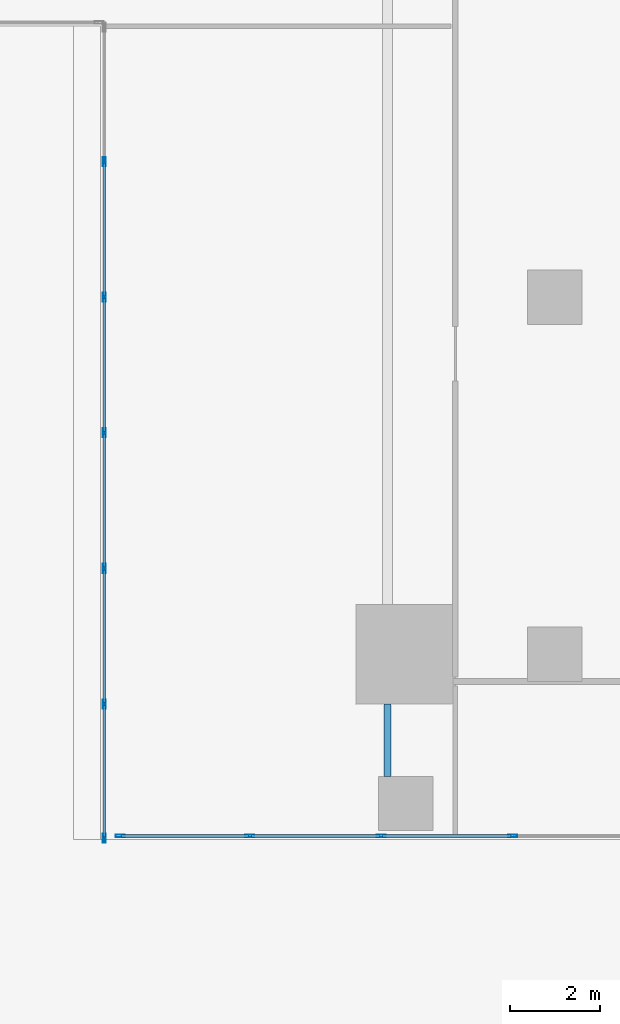
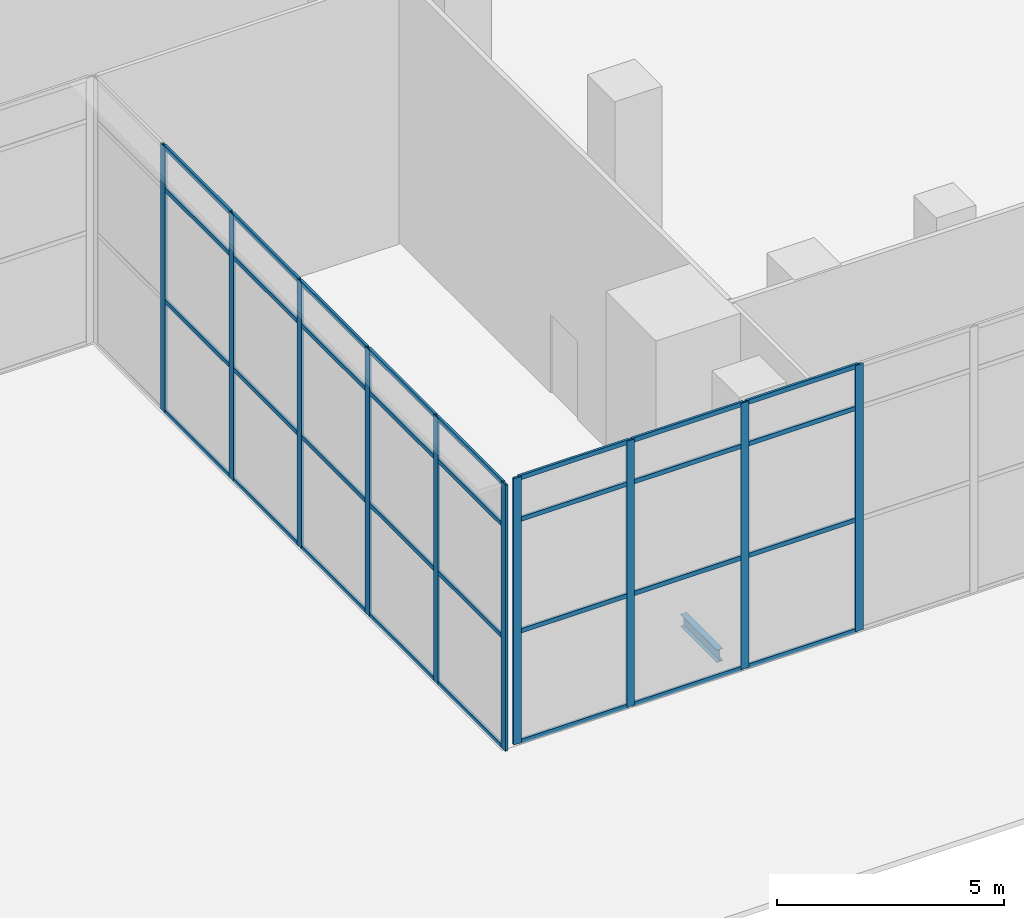
# One storey, part 19 of 52: 42 members, 1 beam, 2 elements without a shape of their own.
"""IFC4 building model written with IfcOpenShell, lengths in metres."""

from ifc_helpers import new_model, si_unit, direction, frame, origin, origin_2d, place, context, subcontext, project, spatial, hollow_rectangle, i_section, extrude, source, transform, mapped, material, material_profile, profile_set, type_object, element, aggregate, save


model = new_model("IFC4")

# Units and contexts
model_context = context("Model", 3, precision=1e-05, world=origin(), true_north=direction((0.0, 1.0)))
body_context = subcontext(model_context, "Body", "Model", "MODEL_VIEW")
ifc_project = project(units=[si_unit("LENGTHUNIT", "METRE"), si_unit("AREAUNIT", "SQUARE_METRE"), si_unit("VOLUMEUNIT", "CUBIC_METRE"), si_unit("PLANEANGLEUNIT", "RADIAN"), si_unit("MASSUNIT", "GRAM", prefix="KILO")], contexts=[model_context])

# Site, building, storey
site_placement = place(None, origin())
site = spatial("IfcSite", under=ifc_project, at=site_placement, CompositionType="ELEMENT")
building_placement = place(site_placement, origin())
building = spatial("IfcBuilding", under=site, at=building_placement, Name="Khomas Fold Tower", CompositionType="ELEMENT")
storey_placement = place(building_placement, origin())
storey = spatial("IfcBuildingStorey", under=building, at=storey_placement, Name="L00", CompositionType="ELEMENT", Elevation=0.0)

# Beam
ifc_material_1 = material(Name="Steel S355", Category="steel")
ifc_material_profile_1 = material_profile(ifc_material_1, i_section(OverallWidth=0.159912109375, OverallDepth=0.330078125, WebThickness=0.007568359375, FlangeThickness=0.011474609375, at=origin_2d()), Name="IPE 330")
ifc_profile_set_1 = profile_set([ifc_material_profile_1], Name="Steel S355")
beam_type = type_object("IfcBeamType", Name="IPE 330 beam JB1", PredefinedType="BEAM", material=ifc_profile_set_1)
shared_shape_1 = source(origin(), body_context, "Body", "SweptSolid", [
    extrude(i_section(OverallWidth=0.159912109375, OverallDepth=0.330078125, WebThickness=0.007568359375, FlangeThickness=0.011474609375, at=origin_2d()), origin(), (0.0, 0.0, 1.0), 1.60009765625),
])
beam_placement = place(storey_placement, frame((49.5, 1.39990234375, -0.514892578125), z_axis=(0.0, 1.0, 0.0), x_axis=(-1.0, 0.0, 0.0)))
element("IfcBeam", 1, at=beam_placement, inside=storey, type_object=beam_type, Name="JB1", PredefinedType="BEAM", context=body_context, shape_type="MappedRepresentation", body=[
    mapped(shared_shape_1, transform((0.0, 0.0, 0.0))),
])

# Curtain wall, members
ifc_material_2 = material(Name="Aluminium framed double glazing", Category="aluminium")
curtain_wall_type = type_object("IfcCurtainWallType", Name="Shopfront glazing PD-CW", PredefinedType="NOTDEFINED", material=ifc_material_2)
curtain_wall_1_placement = place(storey_placement, origin())
curtain_wall_1 = element("IfcCurtainWall", 2, at=curtain_wall_1_placement, inside=storey, type_object=curtain_wall_type, Name="Podium shopfront run", PredefinedType="NOTDEFINED")
ifc_material_3 = material(Name="Aluminium", Category="aluminium")
ifc_material_profile_2 = material_profile(ifc_material_3, hollow_rectangle(XDim=0.06005859375, YDim=0.199951171875, WallThickness=0.00390625, at=origin_2d()), Name="Shopfront glazing mullion PD-CW-M")
ifc_profile_set_2 = profile_set([ifc_material_profile_2], Name="Aluminium")
member_type_1 = type_object("IfcMemberType", Name="Shopfront glazing mullion PD-CW-M", PredefinedType="MULLION", material=ifc_profile_set_2)
shared_shape_2 = source(origin(), body_context, "Body", "SweptSolid", [
    extrude(hollow_rectangle(XDim=0.06005859375, YDim=0.199951171875, WallThickness=0.00390625, at=origin_2d()), origin(), (0.0, 0.0, 1.0), 7.14990234375),
])
member_1_placement = place(storey_placement, frame((43.22998046875, 15.0, 0.0), z_axis=(0.0, 0.0, 1.0), x_axis=(1.0, 0.0, 0.0)))
member_1 = element("IfcMember", 3, at=member_1_placement, type_object=member_type_1, Name="PD-CW mullion 2", PredefinedType="MULLION", context=body_context, shape_type="MappedRepresentation", body=[
    mapped(shared_shape_2, transform((0.0, 0.0, 0.0))),
])
member_2_placement = place(storey_placement, frame((43.22998046875, 12.0, 0.0), z_axis=(0.0, 0.0, 1.0), x_axis=(1.0, 0.0, 0.0)))
member_2 = element("IfcMember", 4, at=member_2_placement, type_object=member_type_1, Name="PD-CW mullion 3", PredefinedType="MULLION", context=body_context, shape_type="MappedRepresentation", body=[
    mapped(shared_shape_2, transform((0.0, 0.0, 0.0))),
])
member_3_placement = place(storey_placement, frame((43.22998046875, 9.0, 0.0), z_axis=(0.0, 0.0, 1.0), x_axis=(1.0, 0.0, 0.0)))
member_3 = element("IfcMember", 5, at=member_3_placement, type_object=member_type_1, Name="PD-CW mullion 4", PredefinedType="MULLION", context=body_context, shape_type="MappedRepresentation", body=[
    mapped(shared_shape_2, transform((0.0, 0.0, 0.0))),
])
member_4_placement = place(storey_placement, frame((43.22998046875, 6.0, 0.0), z_axis=(0.0, 0.0, 1.0), x_axis=(1.0, 0.0, 0.0)))
member_4 = element("IfcMember", 6, at=member_4_placement, type_object=member_type_1, Name="PD-CW mullion 5", PredefinedType="MULLION", context=body_context, shape_type="MappedRepresentation", body=[
    mapped(shared_shape_2, transform((0.0, 0.0, 0.0))),
])
member_5_placement = place(storey_placement, frame((43.22998046875, 3.0, 0.0), z_axis=(0.0, 0.0, 1.0), x_axis=(1.0, 0.0, 0.0)))
member_5 = element("IfcMember", 7, at=member_5_placement, type_object=member_type_1, Name="PD-CW mullion 6", PredefinedType="MULLION", context=body_context, shape_type="MappedRepresentation", body=[
    mapped(shared_shape_2, transform((0.0, 0.0, 0.0))),
])
member_6_placement = place(storey_placement, frame((43.22998046875, 0.030029296875, 0.0), z_axis=(0.0, 0.0, 1.0), x_axis=(1.0, 0.0, 0.0)))
member_6 = element("IfcMember", 8, at=member_6_placement, type_object=member_type_1, Name="PD-CW mullion 7", PredefinedType="MULLION", context=body_context, shape_type="MappedRepresentation", body=[
    mapped(shared_shape_2, transform((0.0, 0.0, 0.0))),
])

curtain_wall_2_placement = place(storey_placement, origin())
curtain_wall_2 = element("IfcCurtainWall", 9, at=curtain_wall_2_placement, inside=storey, type_object=curtain_wall_type, Name="Podium shopfront run", PredefinedType="NOTDEFINED")
member_7_placement = place(storey_placement, frame((43.580078125, 0.080078125, 0.0), z_axis=(0.0, 0.0, 1.0), x_axis=(0.0, 1.0, 0.0)))
member_7 = element("IfcMember", 10, at=member_7_placement, type_object=member_type_1, Name="PD-CW mullion 1", PredefinedType="MULLION", context=body_context, shape_type="MappedRepresentation", body=[
    mapped(shared_shape_2, transform((0.0, 0.0, 0.0))),
])
member_8_placement = place(storey_placement, frame((46.454345703125, 0.080078125, 0.0), z_axis=(0.0, 0.0, 1.0), x_axis=(0.0, 1.0, 0.0)))
member_8 = element("IfcMember", 11, at=member_8_placement, type_object=member_type_1, Name="PD-CW mullion 2", PredefinedType="MULLION", context=body_context, shape_type="MappedRepresentation", body=[
    mapped(shared_shape_2, transform((0.0, 0.0, 0.0))),
])
member_9_placement = place(storey_placement, frame((49.35888671875, 0.080078125, 0.0), z_axis=(0.0, 0.0, 1.0), x_axis=(0.0, 1.0, 0.0)))
member_9 = element("IfcMember", 12, at=member_9_placement, type_object=member_type_1, Name="PD-CW mullion 3", PredefinedType="MULLION", context=body_context, shape_type="MappedRepresentation", body=[
    mapped(shared_shape_2, transform((0.0, 0.0, 0.0))),
])
member_10_placement = place(storey_placement, frame((52.263427734375, 0.080078125, 0.0), z_axis=(0.0, 0.0, 1.0), x_axis=(0.0, 1.0, 0.0)))
member_10 = element("IfcMember", 13, at=member_10_placement, type_object=member_type_1, Name="PD-CW mullion 4", PredefinedType="MULLION", context=body_context, shape_type="MappedRepresentation", body=[
    mapped(shared_shape_2, transform((0.0, 0.0, 0.0))),
])

# Member
ifc_material_4 = material(Name="Aluminium", Category="aluminium")
ifc_material_profile_3 = material_profile(ifc_material_4, hollow_rectangle(XDim=0.06005859375, YDim=0.1201171875, WallThickness=0.00390625, at=origin_2d()), Name="Shopfront glazing transom PD-CW-T")
ifc_profile_set_3 = profile_set([ifc_material_profile_3], Name="Aluminium")
member_type_2 = type_object("IfcMemberType", Name="Shopfront glazing transom PD-CW-T", PredefinedType="USERDEFINED", material=ifc_profile_set_3)
shared_shape_3 = source(origin(), body_context, "Body", "SweptSolid", [
    extrude(hollow_rectangle(XDim=0.06005859375, YDim=0.1201171875, WallThickness=0.00390625, at=origin_2d()), origin(), (0.0, 0.0, 1.0), 2.909912109375),
])
member_11_placement = place(storey_placement, frame((43.22998046875, 2.969970703125, 0.030029296875), z_axis=(0.0, -1.0, 0.0), x_axis=(1.0, 0.0, 0.0)))
member_11 = element("IfcMember", 14, at=member_11_placement, type_object=member_type_2, Name="PD-CW transom 6.1", ObjectType="TRANSOM", PredefinedType="USERDEFINED", context=body_context, shape_type="MappedRepresentation", body=[
    mapped(shared_shape_3, transform((0.0, 0.0, 0.0))),
])

member_12_placement = place(storey_placement, frame((43.22998046875, 2.969970703125, 3.0), z_axis=(0.0, -1.0, 0.0), x_axis=(1.0, 0.0, 0.0)))
member_12 = element("IfcMember", 15, at=member_12_placement, type_object=member_type_2, Name="PD-CW transom 6.2", ObjectType="TRANSOM", PredefinedType="USERDEFINED", context=body_context, shape_type="MappedRepresentation", body=[
    mapped(shared_shape_3, transform((0.0, 0.0, 0.0))),
])

member_13_placement = place(storey_placement, frame((43.22998046875, 2.969970703125, 6.0), z_axis=(0.0, -1.0, 0.0), x_axis=(1.0, 0.0, 0.0)))
member_13 = element("IfcMember", 16, at=member_13_placement, type_object=member_type_2, Name="PD-CW transom 6.3", ObjectType="TRANSOM", PredefinedType="USERDEFINED", context=body_context, shape_type="MappedRepresentation", body=[
    mapped(shared_shape_3, transform((0.0, 0.0, 0.0))),
])

member_14_placement = place(storey_placement, frame((43.22998046875, 2.969970703125, 7.1201171875), z_axis=(0.0, -1.0, 0.0), x_axis=(1.0, 0.0, 0.0)))
member_14 = element("IfcMember", 17, at=member_14_placement, type_object=member_type_2, Name="PD-CW transom 6.4", ObjectType="TRANSOM", PredefinedType="USERDEFINED", context=body_context, shape_type="MappedRepresentation", body=[
    mapped(shared_shape_3, transform((0.0, 0.0, 0.0))),
])

shared_shape_4 = source(origin(), body_context, "Body", "SweptSolid", [
    extrude(hollow_rectangle(XDim=0.06005859375, YDim=0.1201171875, WallThickness=0.00390625, at=origin_2d()), origin(), (0.0, 0.0, 1.0), 2.93994140625),
])
member_15_placement = place(storey_placement, frame((43.22998046875, 14.969970703125, 0.030029296875), z_axis=(0.0, -1.0, 0.0), x_axis=(1.0, 0.0, 0.0)))
member_15 = element("IfcMember", 18, at=member_15_placement, type_object=member_type_2, Name="PD-CW transom 2.1", ObjectType="TRANSOM", PredefinedType="USERDEFINED", context=body_context, shape_type="MappedRepresentation", body=[
    mapped(shared_shape_4, transform((0.0, 0.0, 0.0))),
])

member_16_placement = place(storey_placement, frame((43.22998046875, 14.969970703125, 3.0), z_axis=(0.0, -1.0, 0.0), x_axis=(1.0, 0.0, 0.0)))
member_16 = element("IfcMember", 19, at=member_16_placement, type_object=member_type_2, Name="PD-CW transom 2.2", ObjectType="TRANSOM", PredefinedType="USERDEFINED", context=body_context, shape_type="MappedRepresentation", body=[
    mapped(shared_shape_4, transform((0.0, 0.0, 0.0))),
])

member_17_placement = place(storey_placement, frame((43.22998046875, 14.969970703125, 6.0), z_axis=(0.0, -1.0, 0.0), x_axis=(1.0, 0.0, 0.0)))
member_17 = element("IfcMember", 20, at=member_17_placement, type_object=member_type_2, Name="PD-CW transom 2.3", ObjectType="TRANSOM", PredefinedType="USERDEFINED", context=body_context, shape_type="MappedRepresentation", body=[
    mapped(shared_shape_4, transform((0.0, 0.0, 0.0))),
])

member_18_placement = place(storey_placement, frame((43.22998046875, 14.969970703125, 7.1201171875), z_axis=(0.0, -1.0, 0.0), x_axis=(1.0, 0.0, 0.0)))
member_18 = element("IfcMember", 21, at=member_18_placement, type_object=member_type_2, Name="PD-CW transom 2.4", ObjectType="TRANSOM", PredefinedType="USERDEFINED", context=body_context, shape_type="MappedRepresentation", body=[
    mapped(shared_shape_4, transform((0.0, 0.0, 0.0))),
])

member_19_placement = place(storey_placement, frame((43.22998046875, 11.969970703125, 0.030029296875), z_axis=(0.0, -1.0, 0.0), x_axis=(1.0, 0.0, 0.0)))
member_19 = element("IfcMember", 22, at=member_19_placement, type_object=member_type_2, Name="PD-CW transom 3.1", ObjectType="TRANSOM", PredefinedType="USERDEFINED", context=body_context, shape_type="MappedRepresentation", body=[
    mapped(shared_shape_4, transform((0.0, 0.0, 0.0))),
])

member_20_placement = place(storey_placement, frame((43.22998046875, 11.969970703125, 3.0), z_axis=(0.0, -1.0, 0.0), x_axis=(1.0, 0.0, 0.0)))
member_20 = element("IfcMember", 23, at=member_20_placement, type_object=member_type_2, Name="PD-CW transom 3.2", ObjectType="TRANSOM", PredefinedType="USERDEFINED", context=body_context, shape_type="MappedRepresentation", body=[
    mapped(shared_shape_4, transform((0.0, 0.0, 0.0))),
])

member_21_placement = place(storey_placement, frame((43.22998046875, 11.969970703125, 6.0), z_axis=(0.0, -1.0, 0.0), x_axis=(1.0, 0.0, 0.0)))
member_21 = element("IfcMember", 24, at=member_21_placement, type_object=member_type_2, Name="PD-CW transom 3.3", ObjectType="TRANSOM", PredefinedType="USERDEFINED", context=body_context, shape_type="MappedRepresentation", body=[
    mapped(shared_shape_4, transform((0.0, 0.0, 0.0))),
])

member_22_placement = place(storey_placement, frame((43.22998046875, 11.969970703125, 7.1201171875), z_axis=(0.0, -1.0, 0.0), x_axis=(1.0, 0.0, 0.0)))
member_22 = element("IfcMember", 25, at=member_22_placement, type_object=member_type_2, Name="PD-CW transom 3.4", ObjectType="TRANSOM", PredefinedType="USERDEFINED", context=body_context, shape_type="MappedRepresentation", body=[
    mapped(shared_shape_4, transform((0.0, 0.0, 0.0))),
])

member_23_placement = place(storey_placement, frame((43.22998046875, 8.969970703125, 0.030029296875), z_axis=(0.0, -1.0, 0.0), x_axis=(1.0, 0.0, 0.0)))
member_23 = element("IfcMember", 26, at=member_23_placement, type_object=member_type_2, Name="PD-CW transom 4.1", ObjectType="TRANSOM", PredefinedType="USERDEFINED", context=body_context, shape_type="MappedRepresentation", body=[
    mapped(shared_shape_4, transform((0.0, 0.0, 0.0))),
])

member_24_placement = place(storey_placement, frame((43.22998046875, 8.969970703125, 3.0), z_axis=(0.0, -1.0, 0.0), x_axis=(1.0, 0.0, 0.0)))
member_24 = element("IfcMember", 27, at=member_24_placement, type_object=member_type_2, Name="PD-CW transom 4.2", ObjectType="TRANSOM", PredefinedType="USERDEFINED", context=body_context, shape_type="MappedRepresentation", body=[
    mapped(shared_shape_4, transform((0.0, 0.0, 0.0))),
])

member_25_placement = place(storey_placement, frame((43.22998046875, 8.969970703125, 6.0), z_axis=(0.0, -1.0, 0.0), x_axis=(1.0, 0.0, 0.0)))
member_25 = element("IfcMember", 28, at=member_25_placement, type_object=member_type_2, Name="PD-CW transom 4.3", ObjectType="TRANSOM", PredefinedType="USERDEFINED", context=body_context, shape_type="MappedRepresentation", body=[
    mapped(shared_shape_4, transform((0.0, 0.0, 0.0))),
])

member_26_placement = place(storey_placement, frame((43.22998046875, 8.969970703125, 7.1201171875), z_axis=(0.0, -1.0, 0.0), x_axis=(1.0, 0.0, 0.0)))
member_26 = element("IfcMember", 29, at=member_26_placement, type_object=member_type_2, Name="PD-CW transom 4.4", ObjectType="TRANSOM", PredefinedType="USERDEFINED", context=body_context, shape_type="MappedRepresentation", body=[
    mapped(shared_shape_4, transform((0.0, 0.0, 0.0))),
])

member_27_placement = place(storey_placement, frame((43.22998046875, 5.969970703125, 0.030029296875), z_axis=(0.0, -1.0, 0.0), x_axis=(1.0, 0.0, 0.0)))
member_27 = element("IfcMember", 30, at=member_27_placement, type_object=member_type_2, Name="PD-CW transom 5.1", ObjectType="TRANSOM", PredefinedType="USERDEFINED", context=body_context, shape_type="MappedRepresentation", body=[
    mapped(shared_shape_4, transform((0.0, 0.0, 0.0))),
])

member_28_placement = place(storey_placement, frame((43.22998046875, 5.969970703125, 3.0), z_axis=(0.0, -1.0, 0.0), x_axis=(1.0, 0.0, 0.0)))
member_28 = element("IfcMember", 31, at=member_28_placement, type_object=member_type_2, Name="PD-CW transom 5.2", ObjectType="TRANSOM", PredefinedType="USERDEFINED", context=body_context, shape_type="MappedRepresentation", body=[
    mapped(shared_shape_4, transform((0.0, 0.0, 0.0))),
])

member_29_placement = place(storey_placement, frame((43.22998046875, 5.969970703125, 6.0), z_axis=(0.0, -1.0, 0.0), x_axis=(1.0, 0.0, 0.0)))
member_29 = element("IfcMember", 32, at=member_29_placement, type_object=member_type_2, Name="PD-CW transom 5.3", ObjectType="TRANSOM", PredefinedType="USERDEFINED", context=body_context, shape_type="MappedRepresentation", body=[
    mapped(shared_shape_4, transform((0.0, 0.0, 0.0))),
])

member_30_placement = place(storey_placement, frame((43.22998046875, 5.969970703125, 7.1201171875), z_axis=(0.0, -1.0, 0.0), x_axis=(1.0, 0.0, 0.0)))
member_30 = element("IfcMember", 33, at=member_30_placement, type_object=member_type_2, Name="PD-CW transom 5.4", ObjectType="TRANSOM", PredefinedType="USERDEFINED", context=body_context, shape_type="MappedRepresentation", body=[
    mapped(shared_shape_4, transform((0.0, 0.0, 0.0))),
])

aggregate(curtain_wall_1, [member_1, member_2, member_3, member_4, member_5, member_6, member_15, member_16, member_17, member_18, member_19, member_20, member_21, member_22, member_23, member_24, member_25, member_26, member_27, member_28, member_29, member_30, member_11, member_12, member_13, member_14])

shared_shape_5 = source(origin(), body_context, "Body", "SweptSolid", [
    extrude(hollow_rectangle(XDim=0.06005859375, YDim=0.1201171875, WallThickness=0.00390625, at=origin_2d()), origin(), (0.0, 0.0, 1.0), 2.814453125),
])
member_31_placement = place(storey_placement, frame((43.610107421875, 0.080078125, 0.030029296875), z_axis=(1.0, 0.0, 0.0), x_axis=(0.0, 1.0, 0.0)))
member_31 = element("IfcMember", 34, at=member_31_placement, type_object=member_type_2, Name="PD-CW transom 1.1", ObjectType="TRANSOM", PredefinedType="USERDEFINED", context=body_context, shape_type="MappedRepresentation", body=[
    mapped(shared_shape_5, transform((0.0, 0.0, 0.0))),
])

member_32_placement = place(storey_placement, frame((43.610107421875, 0.080078125, 3.0), z_axis=(1.0, 0.0, 0.0), x_axis=(0.0, 1.0, 0.0)))
member_32 = element("IfcMember", 35, at=member_32_placement, type_object=member_type_2, Name="PD-CW transom 1.2", ObjectType="TRANSOM", PredefinedType="USERDEFINED", context=body_context, shape_type="MappedRepresentation", body=[
    mapped(shared_shape_5, transform((0.0, 0.0, 0.0))),
])

member_33_placement = place(storey_placement, frame((43.610107421875, 0.080078125, 6.0), z_axis=(1.0, 0.0, 0.0), x_axis=(0.0, 1.0, 0.0)))
member_33 = element("IfcMember", 36, at=member_33_placement, type_object=member_type_2, Name="PD-CW transom 1.3", ObjectType="TRANSOM", PredefinedType="USERDEFINED", context=body_context, shape_type="MappedRepresentation", body=[
    mapped(shared_shape_5, transform((0.0, 0.0, 0.0))),
])

member_34_placement = place(storey_placement, frame((43.610107421875, 0.080078125, 7.1201171875), z_axis=(1.0, 0.0, 0.0), x_axis=(0.0, 1.0, 0.0)))
member_34 = element("IfcMember", 37, at=member_34_placement, type_object=member_type_2, Name="PD-CW transom 1.4", ObjectType="TRANSOM", PredefinedType="USERDEFINED", context=body_context, shape_type="MappedRepresentation", body=[
    mapped(shared_shape_5, transform((0.0, 0.0, 0.0))),
])

shared_shape_6 = source(origin(), body_context, "Body", "SweptSolid", [
    extrude(hollow_rectangle(XDim=0.06005859375, YDim=0.1201171875, WallThickness=0.00390625, at=origin_2d()), origin(), (0.0, 0.0, 1.0), 2.844482421875),
])
member_35_placement = place(storey_placement, frame((46.484375, 0.080078125, 0.030029296875), z_axis=(1.0, 0.0, 0.0), x_axis=(0.0, 1.0, 0.0)))
member_35 = element("IfcMember", 38, at=member_35_placement, type_object=member_type_2, Name="PD-CW transom 2.1", ObjectType="TRANSOM", PredefinedType="USERDEFINED", context=body_context, shape_type="MappedRepresentation", body=[
    mapped(shared_shape_6, transform((0.0, 0.0, 0.0))),
])

member_36_placement = place(storey_placement, frame((46.484375, 0.080078125, 3.0), z_axis=(1.0, 0.0, 0.0), x_axis=(0.0, 1.0, 0.0)))
member_36 = element("IfcMember", 39, at=member_36_placement, type_object=member_type_2, Name="PD-CW transom 2.2", ObjectType="TRANSOM", PredefinedType="USERDEFINED", context=body_context, shape_type="MappedRepresentation", body=[
    mapped(shared_shape_6, transform((0.0, 0.0, 0.0))),
])

member_37_placement = place(storey_placement, frame((46.484375, 0.080078125, 6.0), z_axis=(1.0, 0.0, 0.0), x_axis=(0.0, 1.0, 0.0)))
member_37 = element("IfcMember", 40, at=member_37_placement, type_object=member_type_2, Name="PD-CW transom 2.3", ObjectType="TRANSOM", PredefinedType="USERDEFINED", context=body_context, shape_type="MappedRepresentation", body=[
    mapped(shared_shape_6, transform((0.0, 0.0, 0.0))),
])

member_38_placement = place(storey_placement, frame((46.484375, 0.080078125, 7.1201171875), z_axis=(1.0, 0.0, 0.0), x_axis=(0.0, 1.0, 0.0)))
member_38 = element("IfcMember", 41, at=member_38_placement, type_object=member_type_2, Name="PD-CW transom 2.4", ObjectType="TRANSOM", PredefinedType="USERDEFINED", context=body_context, shape_type="MappedRepresentation", body=[
    mapped(shared_shape_6, transform((0.0, 0.0, 0.0))),
])

member_39_placement = place(storey_placement, frame((49.388916015625, 0.080078125, 0.030029296875), z_axis=(1.0, 0.0, 0.0), x_axis=(0.0, 1.0, 0.0)))
member_39 = element("IfcMember", 42, at=member_39_placement, type_object=member_type_2, Name="PD-CW transom 3.1", ObjectType="TRANSOM", PredefinedType="USERDEFINED", context=body_context, shape_type="MappedRepresentation", body=[
    mapped(shared_shape_6, transform((0.0, 0.0, 0.0))),
])

member_40_placement = place(storey_placement, frame((49.388916015625, 0.080078125, 3.0), z_axis=(1.0, 0.0, 0.0), x_axis=(0.0, 1.0, 0.0)))
member_40 = element("IfcMember", 43, at=member_40_placement, type_object=member_type_2, Name="PD-CW transom 3.2", ObjectType="TRANSOM", PredefinedType="USERDEFINED", context=body_context, shape_type="MappedRepresentation", body=[
    mapped(shared_shape_6, transform((0.0, 0.0, 0.0))),
])

member_41_placement = place(storey_placement, frame((49.388916015625, 0.080078125, 6.0), z_axis=(1.0, 0.0, 0.0), x_axis=(0.0, 1.0, 0.0)))
member_41 = element("IfcMember", 44, at=member_41_placement, type_object=member_type_2, Name="PD-CW transom 3.3", ObjectType="TRANSOM", PredefinedType="USERDEFINED", context=body_context, shape_type="MappedRepresentation", body=[
    mapped(shared_shape_6, transform((0.0, 0.0, 0.0))),
])

member_42_placement = place(storey_placement, frame((49.388916015625, 0.080078125, 7.1201171875), z_axis=(1.0, 0.0, 0.0), x_axis=(0.0, 1.0, 0.0)))
member_42 = element("IfcMember", 45, at=member_42_placement, type_object=member_type_2, Name="PD-CW transom 3.4", ObjectType="TRANSOM", PredefinedType="USERDEFINED", context=body_context, shape_type="MappedRepresentation", body=[
    mapped(shared_shape_6, transform((0.0, 0.0, 0.0))),
])

aggregate(curtain_wall_2, [member_7, member_8, member_9, member_10, member_31, member_32, member_33, member_34, member_35, member_36, member_37, member_38, member_39, member_40, member_41, member_42])

save(model, "model.ifc")
